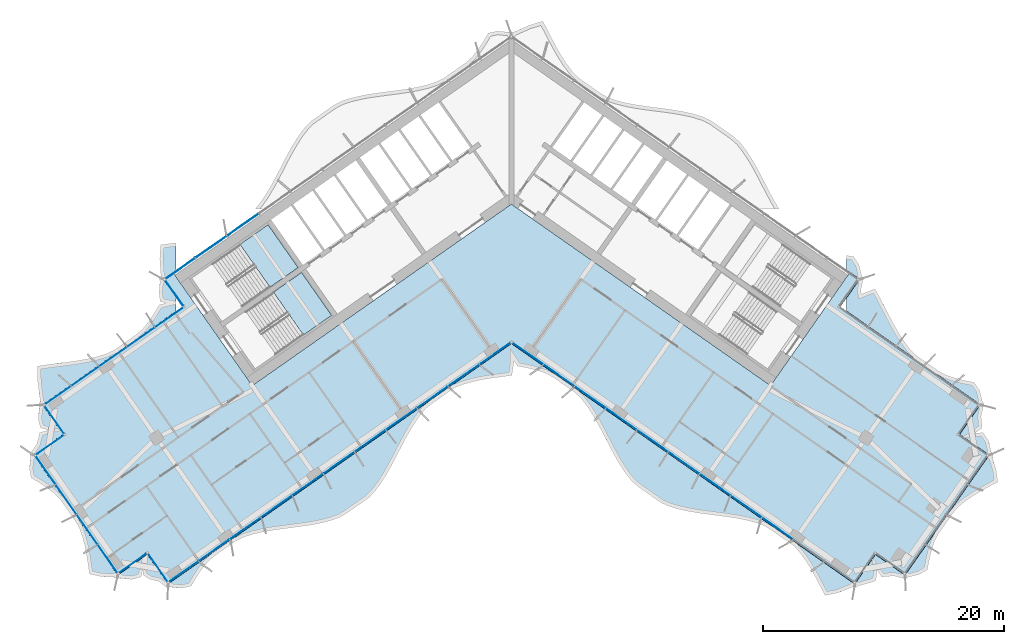
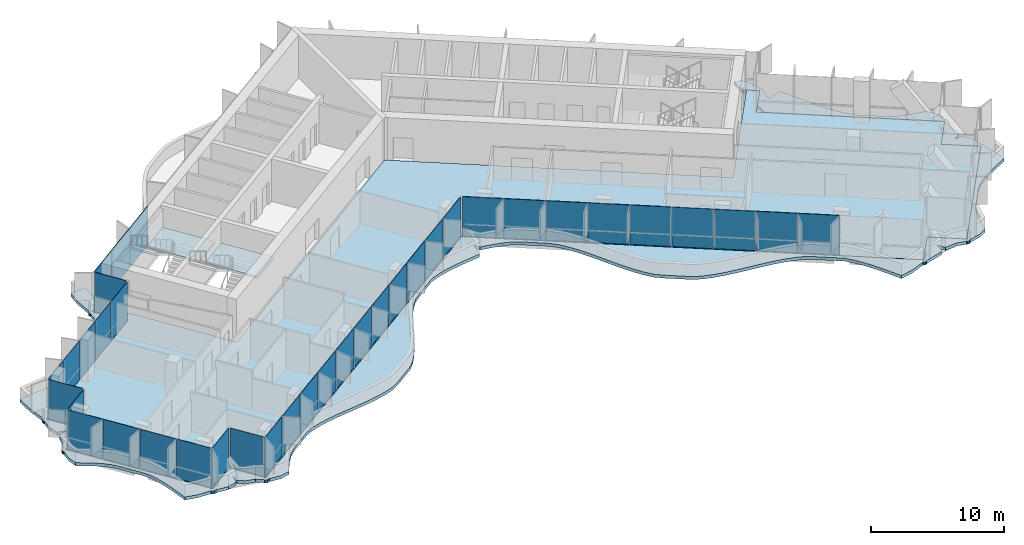
# One storey, part 10 of 21: 37 plates, 4 slabs, 4 elements without a shape of their own.
"""IFC4 building model written with IfcOpenShell, lengths in metres."""

from ifc_helpers import new_model, si_unit, direction, frame, origin, origin_2d, place, context, subcontext, project, spatial, polyline, rectangle, outline, extrude, material, layer, layer_set, type_object, element, aggregate, save


model = new_model("IFC4")

# Units and contexts
model_context = context("Model", 3, precision=1e-05, world=origin(), true_north=direction((0.0, 1.0)))
body_context = subcontext(model_context, "Body", "Model", "MODEL_VIEW")
ifc_project = project(units=[si_unit("LENGTHUNIT", "METRE"), si_unit("AREAUNIT", "SQUARE_METRE"), si_unit("VOLUMEUNIT", "CUBIC_METRE"), si_unit("PLANEANGLEUNIT", "RADIAN"), si_unit("MASSUNIT", "GRAM", prefix="KILO")], contexts=[model_context])

# Site, building, storey
site_placement = place(None, origin())
site = spatial("IfcSite", under=ifc_project, at=site_placement, CompositionType="ELEMENT")
building_placement = place(site_placement, origin())
building = spatial("IfcBuilding", under=site, at=building_placement, Name="Tel Ilan Convention Tower", CompositionType="ELEMENT")
storey_placement = place(building_placement, frame((0.0, 0.0, 139.800048828125)))
storey = spatial("IfcBuildingStorey", under=building, at=storey_placement, Name="L31", CompositionType="ELEMENT", Elevation=139.800048828125)

# Curtain wall, plates
ifc_material_1 = material(Name="Aluminium, bronze anodised", Category="aluminium")
curtain_wall_type_1 = type_object("IfcCurtainWallType", Name="CW4 STICK CURTAIN WALL, OFFICE TINTED GLASS", PredefinedType="NOTDEFINED", material=ifc_material_1)
curtain_wall_1_placement = place(storey_placement, origin())
curtain_wall_1 = element("IfcCurtainWall", 1, at=curtain_wall_1_placement, inside=storey, type_object=curtain_wall_type_1, Name="Curtain wall CW4-25.02", PredefinedType="NOTDEFINED")
ifc_material_2 = material(Name="Glass, bronze tinted, two-ply", Category="glass")
ifc_layer_1 = layer(ifc_material_2, 0.028076171875)
ifc_layer_set_1 = layer_set([ifc_layer_1], Name="CW GLASS PANEL 28")
plate_type_1 = type_object("IfcPlateType", Name="CW GLASS PANEL 28", PredefinedType="CURTAIN_PANEL", material=ifc_layer_set_1)
plate_1_placement = place(storey_placement, frame((-28.44677734375, -10.640625, 0.0), z_axis=(0.0, 0.0, 1.0), x_axis=(-0.819152044289, -0.573576436351, 0.0)))
plate_1 = element("IfcPlate", 2, at=plate_1_placement, type_object=plate_type_1, Name="Glass panel", PredefinedType="CURTAIN_PANEL", context=body_context, shape_type="SweptSolid", body=[
    extrude(rectangle(XDim=2.80908203125, YDim=0.028076171875, at=origin_2d()), origin(), (0.0, 0.0, 1.0), 3.6201171875),
])
plate_2_placement = place(storey_placement, frame((-30.784912109375, -12.278076171875, 0.0), z_axis=(0.0, 0.0, 1.0), x_axis=(-0.819152044289, -0.573576436351, 0.0)))
plate_2 = element("IfcPlate", 3, at=plate_2_placement, type_object=plate_type_1, Name="Glass panel", PredefinedType="CURTAIN_PANEL", context=body_context, shape_type="SweptSolid", body=[
    extrude(rectangle(XDim=2.780029296875, YDim=0.028076171875, at=origin_2d()), origin(), (0.0, 0.0, 1.0), 3.6201171875),
])
plate_3_placement = place(storey_placement, frame((-33.111328125, -13.906982421875, 0.0), z_axis=(0.0, 0.0, 1.0), x_axis=(-0.819152044289, -0.573576436351, 0.0)))
plate_3 = element("IfcPlate", 4, at=plate_3_placement, type_object=plate_type_1, Name="Glass panel", PredefinedType="CURTAIN_PANEL", context=body_context, shape_type="SweptSolid", body=[
    extrude(rectangle(XDim=2.780029296875, YDim=0.028076171875, at=origin_2d()), origin(), (0.0, 0.0, 1.0), 3.6201171875),
])
plate_4_placement = place(storey_placement, frame((-35.437744140625, -15.535888671875, 0.0), z_axis=(0.0, 0.0, 1.0), x_axis=(-0.819152044289, -0.573576436351, 0.0)))
plate_4 = element("IfcPlate", 5, at=plate_4_placement, type_object=plate_type_1, Name="Glass panel", PredefinedType="CURTAIN_PANEL", context=body_context, shape_type="SweptSolid", body=[
    extrude(rectangle(XDim=2.780029296875, YDim=0.028076171875, at=origin_2d()), origin(), (0.0, 0.0, 1.0), 3.6201171875),
])
plate_5_placement = place(storey_placement, frame((-37.7255859375, -17.137939453125, 0.0), z_axis=(0.0, 0.0, 1.0), x_axis=(-0.819152044289, -0.573576436351, 0.0)))
plate_5 = element("IfcPlate", 6, at=plate_5_placement, type_object=plate_type_1, Name="Glass panel", PredefinedType="CURTAIN_PANEL", context=body_context, shape_type="SweptSolid", body=[
    extrude(rectangle(XDim=2.68603515625, YDim=0.028076171875, at=origin_2d()), origin(), (0.0, 0.0, 1.0), 3.6201171875),
])
plate_6_placement = place(storey_placement, frame((-38.007080078125, -19.119140625, 0.0), z_axis=(0.0, 0.0, 1.0), x_axis=(0.573576436351, -0.819152044289, 0.0)))
plate_6 = element("IfcPlate", 7, at=plate_6_placement, type_object=plate_type_1, Name="Glass panel", PredefinedType="CURTAIN_PANEL", context=body_context, shape_type="SweptSolid", body=[
    extrude(rectangle(XDim=2.875, YDim=0.028076171875, at=origin_2d()), origin(), (0.0, 0.0, 1.0), 3.6201171875),
])
plate_7_placement = place(storey_placement, frame((-38.385009765625, -21.261962890625, 0.0), z_axis=(0.0, 0.0, 1.0), x_axis=(-0.819152044289, -0.573576436351, 0.0)))
plate_7 = element("IfcPlate", 8, at=plate_7_placement, type_object=plate_type_1, Name="Glass panel", PredefinedType="CURTAIN_PANEL", context=body_context, shape_type="SweptSolid", body=[
    extrude(rectangle(XDim=2.875, YDim=0.028076171875, at=origin_2d()), origin(), (0.0, 0.0, 1.0), 3.6201171875),
])
plate_8_placement = place(storey_placement, frame((-38.73779296875, -23.305908203125, 0.0), z_axis=(0.0, 0.0, 1.0), x_axis=(0.573576436351, -0.819152044289, 0.0)))
plate_8 = element("IfcPlate", 9, at=plate_8_placement, type_object=plate_type_1, Name="Glass panel", PredefinedType="CURTAIN_PANEL", context=body_context, shape_type="SweptSolid", body=[
    extrude(rectangle(XDim=2.89599609375, YDim=0.028076171875, at=origin_2d()), origin(), (0.0, 0.0, 1.0), 3.6201171875),
])
plate_9_placement = place(storey_placement, frame((-37.015380859375, -25.765869140625, 0.0), z_axis=(0.0, 0.0, 1.0), x_axis=(0.573576436351, -0.819152044289, 0.0)))
plate_9 = element("IfcPlate", 10, at=plate_9_placement, type_object=plate_type_1, Name="Glass panel", PredefinedType="CURTAIN_PANEL", context=body_context, shape_type="SweptSolid", body=[
    extrude(rectangle(XDim=2.989990234375, YDim=0.028076171875, at=origin_2d()), origin(), (0.0, 0.0, 1.0), 3.6201171875),
])
plate_10_placement = place(storey_placement, frame((-35.26611328125, -28.264404296875, 0.0), z_axis=(0.0, 0.0, 1.0), x_axis=(0.573576436351, -0.819152044289, 0.0)))
plate_10 = element("IfcPlate", 11, at=plate_10_placement, type_object=plate_type_1, Name="Glass panel", PredefinedType="CURTAIN_PANEL", context=body_context, shape_type="SweptSolid", body=[
    extrude(rectangle(XDim=2.989990234375, YDim=0.028076171875, at=origin_2d()), origin(), (0.0, 0.0, 1.0), 3.6201171875),
])
plate_11_placement = place(storey_placement, frame((-33.543701171875, -30.72412109375, 0.0), z_axis=(0.0, 0.0, 1.0), x_axis=(0.573576436351, -0.819152044289, 0.0)))
plate_11 = element("IfcPlate", 12, at=plate_11_placement, type_object=plate_type_1, Name="Glass panel", PredefinedType="CURTAIN_PANEL", context=body_context, shape_type="SweptSolid", body=[
    extrude(rectangle(XDim=2.89599609375, YDim=0.028076171875, at=origin_2d()), origin(), (0.0, 0.0, 1.0), 3.6201171875),
])
plate_12_placement = place(storey_placement, frame((-31.502197265625, -31.091796875, 0.0), z_axis=(0.0, 0.0, 1.0), x_axis=(0.819152044289, 0.573576436351, 0.0)))
plate_12 = element("IfcPlate", 13, at=plate_12_placement, type_object=plate_type_1, Name="Glass panel", PredefinedType="CURTAIN_PANEL", context=body_context, shape_type="SweptSolid", body=[
    extrude(rectangle(XDim=2.875, YDim=0.028076171875, at=origin_2d()), origin(), (0.0, 0.0, 1.0), 3.6201171875),
])
plate_13_placement = place(storey_placement, frame((-29.359375, -31.469482421875, 0.0), z_axis=(0.0, 0.0, 1.0), x_axis=(0.573576436351, -0.819152044289, 0.0)))
plate_13 = element("IfcPlate", 14, at=plate_13_placement, type_object=plate_type_1, Name="Glass panel", PredefinedType="CURTAIN_PANEL", context=body_context, shape_type="SweptSolid", body=[
    extrude(rectangle(XDim=2.875, YDim=0.028076171875, at=origin_2d()), origin(), (0.0, 0.0, 1.0), 3.6201171875),
])
plate_14_placement = place(storey_placement, frame((-27.26708984375, -31.78857421875, 0.0), z_axis=(0.0, 0.0, 1.0), x_axis=(0.819152044289, 0.573576436351, 0.0)))
plate_14 = element("IfcPlate", 15, at=plate_14_placement, type_object=plate_type_1, Name="Glass panel", PredefinedType="CURTAIN_PANEL", context=body_context, shape_type="SweptSolid", body=[
    extrude(rectangle(XDim=3.013916015625, YDim=0.028076171875, at=origin_2d()), origin(), (0.0, 0.0, 1.0), 3.6201171875),
])
plate_15_placement = place(storey_placement, frame((-24.71044921875, -29.99853515625, 0.0), z_axis=(0.0, 0.0, 1.0), x_axis=(0.819152044289, 0.573576436351, 0.0)))
plate_15 = element("IfcPlate", 16, at=plate_15_placement, type_object=plate_type_1, Name="Glass panel", PredefinedType="CURTAIN_PANEL", context=body_context, shape_type="SweptSolid", body=[
    extrude(rectangle(XDim=3.10791015625, YDim=0.028076171875, at=origin_2d()), origin(), (0.0, 0.0, 1.0), 3.6201171875),
])
plate_16_placement = place(storey_placement, frame((-22.115478515625, -28.181396484375, 0.0), z_axis=(0.0, 0.0, 1.0), x_axis=(0.819152044289, 0.573576436351, 0.0)))
plate_16 = element("IfcPlate", 17, at=plate_16_placement, type_object=plate_type_1, Name="Glass panel", PredefinedType="CURTAIN_PANEL", context=body_context, shape_type="SweptSolid", body=[
    extrude(rectangle(XDim=3.10791015625, YDim=0.028076171875, at=origin_2d()), origin(), (0.0, 0.0, 1.0), 3.6201171875),
])
plate_17_placement = place(storey_placement, frame((-19.520263671875, -26.3642578125, 0.0), z_axis=(0.0, 0.0, 1.0), x_axis=(0.819152044289, 0.573576436351, 0.0)))
plate_17 = element("IfcPlate", 18, at=plate_17_placement, type_object=plate_type_1, Name="Glass panel", PredefinedType="CURTAIN_PANEL", context=body_context, shape_type="SweptSolid", body=[
    extrude(rectangle(XDim=3.10791015625, YDim=0.028076171875, at=origin_2d()), origin(), (0.0, 0.0, 1.0), 3.6201171875),
])
plate_18_placement = place(storey_placement, frame((-16.92529296875, -24.54736328125, 0.0), z_axis=(0.0, 0.0, 1.0), x_axis=(0.819152044289, 0.573576436351, 0.0)))
plate_18 = element("IfcPlate", 19, at=plate_18_placement, type_object=plate_type_1, Name="Glass panel", PredefinedType="CURTAIN_PANEL", context=body_context, shape_type="SweptSolid", body=[
    extrude(rectangle(XDim=3.10791015625, YDim=0.028076171875, at=origin_2d()), origin(), (0.0, 0.0, 1.0), 3.6201171875),
])
plate_19_placement = place(storey_placement, frame((-14.330078125, -22.730224609375, 0.0), z_axis=(0.0, 0.0, 1.0), x_axis=(0.819152044289, 0.573576436351, 0.0)))
plate_19 = element("IfcPlate", 20, at=plate_19_placement, type_object=plate_type_1, Name="Glass panel", PredefinedType="CURTAIN_PANEL", context=body_context, shape_type="SweptSolid", body=[
    extrude(rectangle(XDim=3.10791015625, YDim=0.028076171875, at=origin_2d()), origin(), (0.0, 0.0, 1.0), 3.6201171875),
])
plate_20_placement = place(storey_placement, frame((-11.735107421875, -20.9130859375, 0.0), z_axis=(0.0, 0.0, 1.0), x_axis=(0.819152044289, 0.573576436351, 0.0)))
plate_20 = element("IfcPlate", 21, at=plate_20_placement, type_object=plate_type_1, Name="Glass panel", PredefinedType="CURTAIN_PANEL", context=body_context, shape_type="SweptSolid", body=[
    extrude(rectangle(XDim=3.10791015625, YDim=0.028076171875, at=origin_2d()), origin(), (0.0, 0.0, 1.0), 3.6201171875),
])
plate_21_placement = place(storey_placement, frame((-9.14013671875, -19.095947265625, 0.0), z_axis=(0.0, 0.0, 1.0), x_axis=(0.819152044289, 0.573576436351, 0.0)))
plate_21 = element("IfcPlate", 22, at=plate_21_placement, type_object=plate_type_1, Name="Glass panel", PredefinedType="CURTAIN_PANEL", context=body_context, shape_type="SweptSolid", body=[
    extrude(rectangle(XDim=3.10791015625, YDim=0.028076171875, at=origin_2d()), origin(), (0.0, 0.0, 1.0), 3.6201171875),
])
plate_22_placement = place(storey_placement, frame((-6.544921875, -17.27880859375, 0.0), z_axis=(0.0, 0.0, 1.0), x_axis=(0.819152044289, 0.573576436351, 0.0)))
plate_22 = element("IfcPlate", 23, at=plate_22_placement, type_object=plate_type_1, Name="Glass panel", PredefinedType="CURTAIN_PANEL", context=body_context, shape_type="SweptSolid", body=[
    extrude(rectangle(XDim=3.10791015625, YDim=0.028076171875, at=origin_2d()), origin(), (0.0, 0.0, 1.0), 3.6201171875),
])
plate_23_placement = place(storey_placement, frame((-3.949951171875, -15.4619140625, 0.0), z_axis=(0.0, 0.0, 1.0), x_axis=(0.819152044289, 0.573576436351, 0.0)))
plate_23 = element("IfcPlate", 24, at=plate_23_placement, type_object=plate_type_1, Name="Glass panel", PredefinedType="CURTAIN_PANEL", context=body_context, shape_type="SweptSolid", body=[
    extrude(rectangle(XDim=3.10791015625, YDim=0.028076171875, at=origin_2d()), origin(), (0.0, 0.0, 1.0), 3.6201171875),
])
plate_24_placement = place(storey_placement, frame((-1.355224609375, -13.64501953125, 0.0), z_axis=(0.0, 0.0, 1.0), x_axis=(0.819152044289, 0.573576436351, 0.0)))
plate_24 = element("IfcPlate", 25, at=plate_24_placement, type_object=plate_type_1, Name="Glass panel", PredefinedType="CURTAIN_PANEL", context=body_context, shape_type="SweptSolid", body=[
    extrude(rectangle(XDim=3.10693359375, YDim=0.028076171875, at=origin_2d()), origin(), (0.0, 0.0, 1.0), 3.6201171875),
])
plate_25_placement = place(storey_placement, frame((1.366943359375, -13.653076171875, 0.0), z_axis=(0.0, 0.0, 1.0), x_axis=(0.819152044289, -0.573576436351, 0.0)))
plate_25 = element("IfcPlate", 26, at=plate_25_placement, type_object=plate_type_1, Name="Glass panel", PredefinedType="CURTAIN_PANEL", context=body_context, shape_type="SweptSolid", body=[
    extrude(rectangle(XDim=3.078857421875, YDim=0.028076171875, at=origin_2d()), origin(), (0.0, 0.0, 1.0), 3.6201171875),
])
plate_26_placement = place(storey_placement, frame((3.949951171875, -15.4619140625, 0.0), z_axis=(0.0, 0.0, 1.0), x_axis=(0.819152044289, -0.573576436351, 0.0)))
plate_26 = element("IfcPlate", 27, at=plate_26_placement, type_object=plate_type_1, Name="Glass panel", PredefinedType="CURTAIN_PANEL", context=body_context, shape_type="SweptSolid", body=[
    extrude(rectangle(XDim=3.10791015625, YDim=0.028076171875, at=origin_2d()), origin(), (0.0, 0.0, 1.0), 3.6201171875),
])
plate_27_placement = place(storey_placement, frame((6.544921875, -17.27880859375, 0.0), z_axis=(0.0, 0.0, 1.0), x_axis=(0.819152044289, -0.573576436351, 0.0)))
plate_27 = element("IfcPlate", 28, at=plate_27_placement, type_object=plate_type_1, Name="Glass panel", PredefinedType="CURTAIN_PANEL", context=body_context, shape_type="SweptSolid", body=[
    extrude(rectangle(XDim=3.10791015625, YDim=0.028076171875, at=origin_2d()), origin(), (0.0, 0.0, 1.0), 3.6201171875),
])
plate_28_placement = place(storey_placement, frame((9.14013671875, -19.095947265625, 0.0), z_axis=(0.0, 0.0, 1.0), x_axis=(0.819152044289, -0.573576436351, 0.0)))
plate_28 = element("IfcPlate", 29, at=plate_28_placement, type_object=plate_type_1, Name="Glass panel", PredefinedType="CURTAIN_PANEL", context=body_context, shape_type="SweptSolid", body=[
    extrude(rectangle(XDim=3.10791015625, YDim=0.028076171875, at=origin_2d()), origin(), (0.0, 0.0, 1.0), 3.6201171875),
])
plate_29_placement = place(storey_placement, frame((11.735107421875, -20.9130859375, 0.0), z_axis=(0.0, 0.0, 1.0), x_axis=(0.819152044289, -0.573576436351, 0.0)))
plate_29 = element("IfcPlate", 30, at=plate_29_placement, type_object=plate_type_1, Name="Glass panel", PredefinedType="CURTAIN_PANEL", context=body_context, shape_type="SweptSolid", body=[
    extrude(rectangle(XDim=3.10791015625, YDim=0.028076171875, at=origin_2d()), origin(), (0.0, 0.0, 1.0), 3.6201171875),
])
plate_30_placement = place(storey_placement, frame((14.330078125, -22.730224609375, 0.0), z_axis=(0.0, 0.0, 1.0), x_axis=(0.819152044289, -0.573576436351, 0.0)))
plate_30 = element("IfcPlate", 31, at=plate_30_placement, type_object=plate_type_1, Name="Glass panel", PredefinedType="CURTAIN_PANEL", context=body_context, shape_type="SweptSolid", body=[
    extrude(rectangle(XDim=3.10791015625, YDim=0.028076171875, at=origin_2d()), origin(), (0.0, 0.0, 1.0), 3.6201171875),
])
plate_31_placement = place(storey_placement, frame((16.92529296875, -24.54736328125, 0.0), z_axis=(0.0, 0.0, 1.0), x_axis=(0.819152044289, -0.573576436351, 0.0)))
plate_31 = element("IfcPlate", 32, at=plate_31_placement, type_object=plate_type_1, Name="Glass panel", PredefinedType="CURTAIN_PANEL", context=body_context, shape_type="SweptSolid", body=[
    extrude(rectangle(XDim=3.10791015625, YDim=0.028076171875, at=origin_2d()), origin(), (0.0, 0.0, 1.0), 3.6201171875),
])
plate_32_placement = place(storey_placement, frame((19.520263671875, -26.3642578125, 0.0), z_axis=(0.0, 0.0, 1.0), x_axis=(0.819152044289, -0.573576436351, 0.0)))
plate_32 = element("IfcPlate", 33, at=plate_32_placement, type_object=plate_type_1, Name="Glass panel", PredefinedType="CURTAIN_PANEL", context=body_context, shape_type="SweptSolid", body=[
    extrude(rectangle(XDim=3.10791015625, YDim=0.028076171875, at=origin_2d()), origin(), (0.0, 0.0, 1.0), 3.6201171875),
])
plate_33_placement = place(storey_placement, frame((22.115478515625, -28.181396484375, 0.0), z_axis=(0.0, 0.0, 1.0), x_axis=(0.819152044289, -0.573576436351, 0.0)))
plate_33 = element("IfcPlate", 34, at=plate_33_placement, type_object=plate_type_1, Name="Glass panel", PredefinedType="CURTAIN_PANEL", context=body_context, shape_type="SweptSolid", body=[
    extrude(rectangle(XDim=3.10791015625, YDim=0.028076171875, at=origin_2d()), origin(), (0.0, 0.0, 1.0), 3.6201171875),
])
aggregate(curtain_wall_1, [plate_1, plate_2, plate_3, plate_4, plate_5, plate_6, plate_7, plate_8, plate_9, plate_10, plate_11, plate_12, plate_13, plate_14, plate_15, plate_16, plate_17, plate_18, plate_19, plate_20, plate_21, plate_22, plate_23, plate_24, plate_25, plate_26, plate_27, plate_28, plate_29, plate_30, plate_31, plate_32, plate_33])

ifc_material_3 = material(Name="Aluminium, bronze anodised", Category="aluminium")
curtain_wall_type_2 = type_object("IfcCurtainWallType", Name="CW2 STICK CURTAIN WALL, SPANDREL PANELS", PredefinedType="NOTDEFINED", material=ifc_material_3)
curtain_wall_2_placement = place(storey_placement, origin())
curtain_wall_2 = element("IfcCurtainWall", 35, at=curtain_wall_2_placement, inside=storey, type_object=curtain_wall_type_2, Name="Curtain wall CW2-25.01", PredefinedType="NOTDEFINED")
ifc_material_4 = material(Name="Aluminium composite panel, bronze anodised", Category="aluminium")
ifc_layer_2 = layer(ifc_material_4, 0.06005859375)
ifc_layer_set_2 = layer_set([ifc_layer_2], Name="CW SPANDREL PANEL 60")
plate_type_2 = type_object("IfcPlateType", Name="CW SPANDREL PANEL 60", PredefinedType="CURTAIN_PANEL", material=ifc_layer_set_2)
plate_34_placement = place(storey_placement, frame((-22.31982421875, -2.9326171875, 0.0), z_axis=(0.0, 0.0, 1.0), x_axis=(-0.819152044289, -0.573576436351, 0.0)))
plate_34 = element("IfcPlate", 36, at=plate_34_placement, type_object=plate_type_2, Name="Spandrel panel", PredefinedType="CURTAIN_PANEL", context=body_context, shape_type="SweptSolid", body=[
    extrude(rectangle(XDim=3.15380859375, YDim=0.06005859375, at=origin_2d()), origin(), (0.0, 0.0, 1.0), 3.6201171875),
])
plate_35_placement = place(storey_placement, frame((-24.95263671875, -4.77587890625, 0.0), z_axis=(0.0, 0.0, 1.0), x_axis=(-0.819152044289, -0.573576436351, 0.0)))
plate_35 = element("IfcPlate", 37, at=plate_35_placement, type_object=plate_type_2, Name="Spandrel panel", PredefinedType="CURTAIN_PANEL", context=body_context, shape_type="SweptSolid", body=[
    extrude(rectangle(XDim=3.15380859375, YDim=0.06005859375, at=origin_2d()), origin(), (0.0, 0.0, 1.0), 3.6201171875),
])
plate_36_placement = place(storey_placement, frame((-27.5400390625, -6.587646484375, 0.0), z_axis=(0.0, 0.0, 1.0), x_axis=(-0.819152044289, -0.573576436351, 0.0)))
plate_36 = element("IfcPlate", 38, at=plate_36_placement, type_object=plate_type_2, Name="Spandrel panel", PredefinedType="CURTAIN_PANEL", context=body_context, shape_type="SweptSolid", body=[
    extrude(rectangle(XDim=3.0439453125, YDim=0.06005859375, at=origin_2d()), origin(), (0.0, 0.0, 1.0), 3.6201171875),
])
plate_37_placement = place(storey_placement, frame((-28.033935546875, -8.60546875, 0.0), z_axis=(0.0, 0.0, 1.0), x_axis=(0.573576436351, -0.819152044289, 0.0)))
plate_37 = element("IfcPlate", 39, at=plate_37_placement, type_object=plate_type_2, Name="Spandrel panel", PredefinedType="CURTAIN_PANEL", context=body_context, shape_type="SweptSolid", body=[
    extrude(rectangle(XDim=2.658935546875, YDim=0.06005859375, at=origin_2d()), origin(), (0.0, 0.0, 1.0), 3.6201171875),
])
aggregate(curtain_wall_2, [plate_34, plate_35, plate_36, plate_37])

# Stair, slab
ifc_material_5 = material(Name="Concrete C40/50", Category="concrete")
stair_type = type_object("IfcStairType", Name="Pressurised Exit Stair 22 risers 177 mm", PredefinedType="HALF_TURN_STAIR", material=ifc_material_5)
stair_1_placement = place(storey_placement, origin())
stair_1 = element("IfcStair", 40, at=stair_1_placement, inside=storey, type_object=stair_type, Name="L31 Pressurised Stair S1", PredefinedType="HALF_TURN_STAIR")
ifc_material_6 = material(Name="Concrete C40/50", Category="concrete")
ifc_layer_3 = layer(ifc_material_6, 0.199951171875)
ifc_layer_set_3 = layer_set([ifc_layer_3], Name="Concrete Stair Landing 200 mm C40/50")
slab_type_1 = type_object("IfcSlabType", Name="Concrete Stair Landing 200 mm", PredefinedType="LANDING", material=ifc_layer_set_3)
slab_1_placement = place(storey_placement, frame((0.0, 0.0, 1.75)))
slab_1 = element("IfcSlab", 41, at=slab_1_placement, type_object=slab_type_1, Name="S1 landing 1", PredefinedType="LANDING", context=body_context, shape_type="SweptSolid", body=[
    extrude(outline(polyline([(-20.066650390625, -8.130126953125), (-17.7314453125, -6.494873046875), (-20.226318359375, -2.931640625), (-22.561767578125, -4.566650390625), (-20.066650390625, -8.130126953125)])), origin(), (0.0, 0.0, 1.0), 0.199951171875),
])
aggregate(stair_1, [slab_1])

stair_2_placement = place(storey_placement, origin())
stair_2 = element("IfcStair", 42, at=stair_2_placement, inside=storey, type_object=stair_type, Name="L31 Pressurised Stair S2", PredefinedType="HALF_TURN_STAIR")
slab_2_placement = place(storey_placement, frame((0.0, 0.0, 1.75)))
slab_2 = element("IfcSlab", 43, at=slab_2_placement, type_object=slab_type_1, Name="S2 landing 1", PredefinedType="LANDING", context=body_context, shape_type="SweptSolid", body=[
    extrude(outline(polyline([(-17.28466796875, -12.10302734375), (-14.949462890625, -10.4677734375), (-17.444580078125, -6.904541015625), (-19.77978515625, -8.53955078125), (-17.28466796875, -12.10302734375)])), origin(), (0.0, 0.0, 1.0), 0.199951171875),
])
aggregate(stair_2, [slab_2])

# Slabs
ifc_material_7 = material(Name="Concrete C40/50", Category="concrete")
ifc_layer_4 = layer(ifc_material_7, 0.280029296875)
ifc_layer_set_4 = layer_set([ifc_layer_4], Name="Edge Ledge Slab 280 mm C40/50")
slab_type_2 = type_object("IfcSlabType", Name="Edge Ledge Slab 280 mm C40/50", PredefinedType="FLOOR", material=ifc_layer_set_4)
slab_3_placement = place(storey_placement, frame((0.0, 0.0, -0.280029296875)))
element("IfcSlab", 44, at=slab_3_placement, inside=storey, type_object=slab_type_2, Name="L31 edge ledge 1", PredefinedType="FLOOR", context=body_context, shape_type="SweptSolid", body=[
    extrude(outline(polyline([(-31.562744140625, -32.420166015625), (-32.5517578125, -32.31494140625), (-32.554931640625, -32.310302734375), (-32.60888671875, -32.346435546875), (-32.723876953125, -32.369384765625), (-32.838623046875, -32.346435546875), (-32.93603515625, -32.281494140625), (-32.96484375, -32.238037109375), (-32.969482421875, -32.241455078125), (-34.1298828125, -32.177734375), (-35.07666015625, -31.964599609375), (-35.189697265625, -31.16748046875), (-35.312744140625, -30.377685546875), (-35.46484375, -29.608154296875), (-35.656982421875, -28.86669921875), (-35.8984375, -28.15966796875), (-36.2626953125, -27.53857421875), (-37.49755859375, -25.77490234375), (-38.006591796875, -25.25537109375), (-38.60546875, -24.798583984375), (-39.250732421875, -24.374267578125), (-39.92822265625, -23.97265625), (-40.0625, -23.190673828125), (-39.96728515625, -22.247802734375), (-39.962646484375, -22.244384765625), (-39.99853515625, -22.1904296875), (-40.021484375, -22.07568359375), (-39.99853515625, -21.960693359375), (-39.93359375, -21.863525390625), (-39.890380859375, -21.834716796875), (-39.8935546875, -21.829833984375), (-39.44873046875, -21.157470703125), (-39.19921875, -20.20654296875), (-38.452392578125, -20.01123046875), (-39.13330078125, -19.83251953125), (-39.33544921875, -19.05859375), (-39.23046875, -18.069580078125), (-39.225830078125, -18.06640625), (-39.261962890625, -18.01220703125), (-39.284912109375, -17.8974609375), (-39.261962890625, -17.78271484375), (-39.197021484375, -17.685302734375), (-39.153564453125, -17.656494140625), (-39.15673828125, -17.651611328125), (-39.369873046875, -16.044677734375), (-39.404052734375, -14.692626953125), (-38.58203125, -14.563720703125), (-37.746826171875, -14.453369140625), (-36.90869140625, -14.34716796875), (-36.078125, -14.23046875), (-35.2646484375, -14.089111328125), (-34.477783203125, -13.91015625), (-33.72509765625, -13.68212890625), (-33.03466796875, -13.364990234375), (-31.197998046875, -12.0791015625), (-30.631591796875, -11.585205078125), (-30.14892578125, -10.971435546875), (-29.70263671875, -10.305908203125), (-29.284912109375, -9.59912109375), (-28.654296875, -9.439208984375), (-29.194091796875, -9.332763671875), (-29.29443359375, -8.548583984375), (-29.20458984375, -7.631103515625), (-29.199951171875, -7.6279296875), (-29.236083984375, -7.57373046875), (-29.2587890625, -7.458984375), (-29.236083984375, -7.34423828125), (-29.1708984375, -7.246826171875), (-29.127685546875, -7.218017578125), (-29.130859375, -7.21337890625), (-29.231689453125, -5.78515625), (-29.161865234375, -4.60107421875), (-28.33935546875, -4.49169921875), (-27.875, -4.4326171875), (-27.875, -6.7001953125), (-28.958740234375, -7.458984375), (-27.875, -9.007080078125), (-27.875, -10.1181640625), (-38.98486328125, -17.8974609375), (-37.263916015625, -20.35498046875), (-39.721435546875, -22.07568359375), (-32.723876953125, -32.0693359375), (-30.266357421875, -30.3486328125), (-28.545654296875, -32.805908203125), (0.0, -12.818115234375), (28.545654296875, -32.805908203125), (30.266357421875, -30.3486328125), (32.723876953125, -32.0693359375), (39.721435546875, -22.07568359375), (37.263916015625, -20.35498046875), (38.98486328125, -17.8974609375), (27.875, -10.1181640625), (27.875, -9.007080078125), (28.958740234375, -7.458984375), (27.875, -6.7001953125), (27.875, -5.485595703125), (28.465576171875, -5.595458984375), (28.894287109375, -6.267333984375), (29.130859375, -7.21337890625), (29.127685546875, -7.218017578125), (29.1708984375, -7.246826171875), (29.236083984375, -7.34423828125), (29.2587890625, -7.458984375), (29.236083984375, -7.57373046875), (29.199951171875, -7.6279296875), (29.20458984375, -7.631103515625), (29.044921875, -8.373779296875), (29.09619140625, -8.70458984375), (30.220947265625, -8.2626953125), (30.623291015625, -8.990966796875), (31.012451171875, -9.738037109375), (31.39892578125, -10.4892578125), (31.792724609375, -11.229736328125), (32.20361328125, -11.94580078125), (32.64111328125, -12.6240234375), (33.11279296875, -13.25341796875), (33.64697265625, -13.793701171875), (35.483642578125, -15.07958984375), (36.1416015625, -15.443115234375), (36.88330078125, -15.686767578125), (37.661376953125, -15.878662109375), (38.468017578125, -16.029296875), (38.917724609375, -16.690185546875), (39.15673828125, -17.651611328125), (39.153564453125, -17.656494140625), (39.197021484375, -17.685302734375), (39.261962890625, -17.78271484375), (39.284912109375, -17.8974609375), (39.261962890625, -18.01220703125), (39.225830078125, -18.06640625), (39.23046875, -18.069580078125), (39.04248046875, -18.853515625), (39.13330078125, -19.83251953125), (38.498291015625, -20.271484375), (39.19921875, -20.20654296875), (39.654052734375, -20.864501953125), (39.8935546875, -21.829833984375), (39.890380859375, -21.834716796875), (39.93359375, -21.863525390625), (39.99853515625, -21.960693359375), (40.021484375, -22.07568359375), (39.99853515625, -22.1904296875), (39.962646484375, -22.244384765625), (39.96728515625, -22.247802734375), (40.30419921875, -23.359619140625), (40.427734375, -24.322509765625), (39.717529296875, -24.701171875), (39.017333984375, -25.0869140625), (38.34619140625, -25.4931640625), (37.71533203125, -25.927490234375), (37.13330078125, -26.39599609375), (36.67431640625, -26.95068359375), (35.439208984375, -28.714111328125), (35.125244140625, -29.370361328125), (34.90087890625, -30.08935546875), (34.722900390625, -30.8408203125), (34.5771484375, -31.61474609375), (33.88818359375, -32.008544921875), (32.969482421875, -32.241455078125), (32.96484375, -32.238037109375), (32.93603515625, -32.281494140625), (32.838623046875, -32.346435546875), (32.723876953125, -32.369384765625), (32.60888671875, -32.346435546875), (32.554931640625, -32.310302734375), (32.5517578125, -32.31494140625), (31.767822265625, -32.127197265625), (30.788818359375, -32.2177734375), (30.372802734375, -31.6162109375), (30.40380859375, -31.909912109375), (30.27099609375, -32.54931640625), (29.534912109375, -32.76611328125), (28.79150390625, -32.97802734375), (28.78662109375, -32.974853515625), (28.7578125, -33.018310546875), (28.660400390625, -33.083251953125), (28.545654296875, -33.10595703125), (28.430908203125, -33.083251953125), (28.376953125, -33.047119140625), (28.37353515625, -33.0517578125), (27.125, -33.542236328125), (26.07373046875, -33.750732421875), (25.690185546875, -33.005859375), (25.30224609375, -32.267578125), (24.899169921875, -31.550537109375), (24.47216796875, -30.86767578125), (24.012939453125, -30.230712890625), (23.514892578125, -29.649658203125), (21.692626953125, -28.373779296875), (21.069091796875, -27.9716796875), (20.344970703125, -27.71337890625), (19.5830078125, -27.5087890625), (18.790283203125, -27.347900390625), (17.975341796875, -27.21923828125), (17.147216796875, -27.109619140625), (16.315673828125, -27.00439453125), (15.490966796875, -26.889404296875), (14.6826171875, -26.751220703125), (13.899658203125, -26.57666015625), (13.14990234375, -26.3544921875), (12.454345703125, -26.0556640625), (10.632080078125, -24.77978515625), (10.057373046875, -24.30810546875), (9.573486328125, -23.706298828125), (9.126220703125, -23.052490234375), (8.70849609375, -22.3564453125), (8.3115234375, -21.630615234375), (7.92626953125, -20.88818359375), (7.542724609375, -20.143310546875), (7.150634765625, -19.41064453125), (6.74072265625, -18.703369140625), (6.303955078125, -18.034423828125), (5.832763671875, -17.414794921875), (5.294189453125, -16.891357421875), (3.47216796875, -15.615478515625), (2.814697265625, -15.26171875), (2.077392578125, -15.02197265625), (1.3046875, -14.8330078125), (0.50390625, -14.683837890625), (0.201416015625, -14.223388671875), (0.2060546875, -14.40478515625), (0.04248046875, -15.464111328125), (-0.788818359375, -15.569580078125), (-1.615234375, -15.681884765625), (-2.427001953125, -15.815185546875), (-3.214599609375, -15.983154296875), (-3.97021484375, -16.19677734375), (-4.686767578125, -16.466064453125), (-6.5087890625, -17.741943359375), (-7.10009765625, -18.190185546875), (-7.59033203125, -18.782470703125), (-8.043212890625, -19.428466796875), (-8.46533203125, -20.118408203125), (-8.864990234375, -20.840087890625), (-9.25146484375, -21.580810546875), (-9.634765625, -22.326416015625), (-10.024658203125, -23.06201171875), (-10.43115234375, -23.7744140625), (-10.86279296875, -24.4501953125), (-11.327880859375, -25.078857421875), (-11.846923828125, -25.63037109375), (-13.6689453125, -26.906005859375), (-14.308837890625, -27.284912109375), (-15.039794921875, -27.53369140625), (-15.80712890625, -27.73046875), (-16.60400390625, -27.885009765625), (-17.421875, -28.009765625), (-18.251220703125, -28.117919921875), (-19.08251953125, -28.2236328125), (-19.905029296875, -28.34130859375), (-20.7099609375, -28.484619140625), (-21.48779296875, -28.666259765625), (-22.2314453125, -28.897216796875), (-22.907470703125, -29.224365234375), (-24.7294921875, -30.5), (-25.286865234375, -30.996826171875), (-25.76416015625, -31.607666015625), (-26.2060546875, -32.269287109375), (-26.6201171875, -32.970703125), (-27.396484375, -33.154296875), (-28.37353515625, -33.0517578125), (-28.376953125, -33.047119140625), (-28.430908203125, -33.083251953125), (-28.545654296875, -33.10595703125), (-28.660400390625, -33.083251953125), (-28.7578125, -33.018310546875), (-28.78662109375, -32.974853515625), (-28.79150390625, -32.97802734375), (-29.2880859375, -32.593505859375), (-30.059814453125, -32.4013671875), (-30.615234375, -32.057861328125), (-30.573974609375, -31.399658203125), (-30.788818359375, -32.2177734375), (-31.562744140625, -32.420166015625)])), origin(), (0.0, 0.0, 1.0), 0.280029296875),
])
ifc_material_8 = material(Name="Concrete C40/50", Category="concrete")
ifc_layer_5 = layer(ifc_material_8, 0.280029296875)
ifc_layer_set_5 = layer_set([ifc_layer_5], Name="Flat Plate Floor Slab 280 mm C40/50")
slab_type_3 = type_object("IfcSlabType", Name="Flat Plate Floor Slab 280 mm C40/50", PredefinedType="FLOOR", material=ifc_layer_set_5)
slab_4_placement = place(storey_placement, frame((0.0, 0.0, -0.280029296875)))
element("IfcSlab", 45, at=slab_4_placement, inside=storey, type_object=slab_type_3, Name="L31 floor slab", PredefinedType="FLOOR", context=body_context, shape_type="SweptSolid", body=[
    extrude(outline(polyline([(21.54345703125, -16.3056640625), (28.1396484375, -6.885498046875), (28.958740234375, -7.458984375), (27.352783203125, -9.752685546875), (38.98486328125, -17.8974609375), (37.263916015625, -20.35498046875), (39.721435546875, -22.07568359375), (32.723876953125, -32.0693359375), (30.266357421875, -30.3486328125), (28.545654296875, -32.805908203125), (0.0, -12.818115234375), (-28.545654296875, -32.805908203125), (-30.266357421875, -30.3486328125), (-32.723876953125, -32.0693359375), (-39.721435546875, -22.07568359375), (-37.263916015625, -20.35498046875), (-38.98486328125, -17.8974609375), (-27.352783203125, -9.752685546875), (-28.958740234375, -7.458984375), (-28.1396484375, -6.885498046875), (-21.54345703125, -16.3056640625), (0.0, -1.220703125), (21.54345703125, -16.3056640625)])), origin(), (0.0, 0.0, 1.0), 0.280029296875),
])

save(model, "model.ifc")
